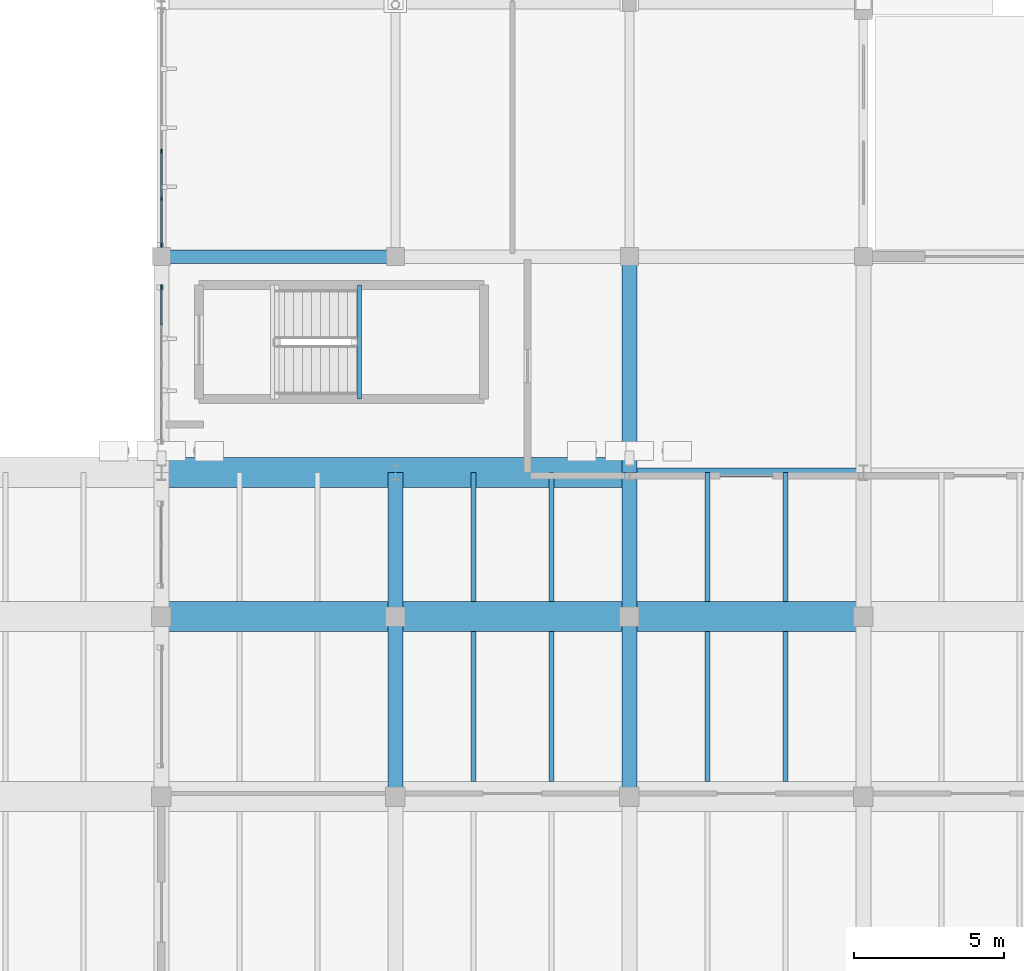
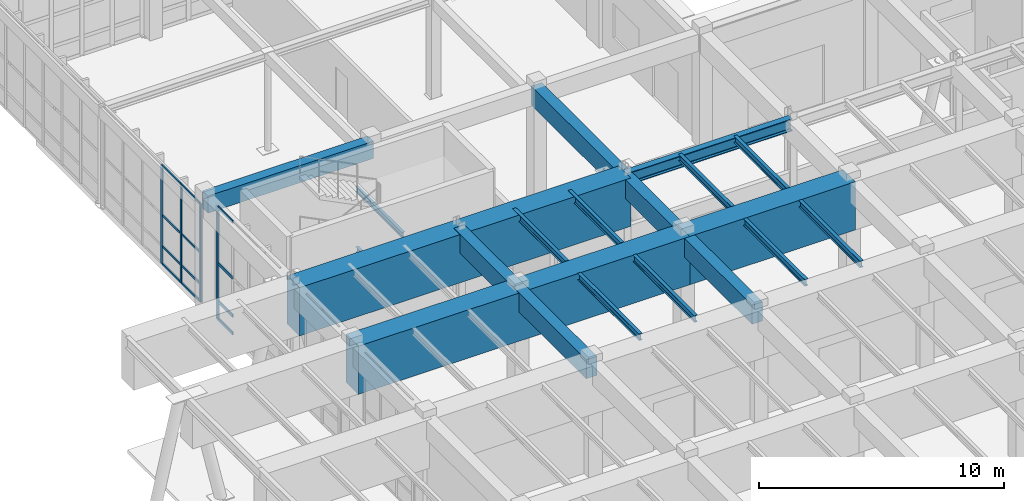
# One storey, part 41 of 110: 20 beams, 16 members, 2 elements without a shape of their own.
"""IFC4 building model written with IfcOpenShell, lengths in metres."""

from ifc_helpers import new_model, si_unit, direction, frame, origin, origin_2d, place, context, subcontext, project, spatial, rectangle, i_section, extrude, material, material_profile, profile_set, type_object, element, aggregate, save


model = new_model("IFC4")

# Units and contexts
model_context = context("Model", 3, precision=1e-05, world=origin(), true_north=direction((0.0, 1.0)))
body_context = subcontext(model_context, "Body", "Model", "MODEL_VIEW")
ifc_project = project(units=[si_unit("LENGTHUNIT", "METRE"), si_unit("AREAUNIT", "SQUARE_METRE"), si_unit("VOLUMEUNIT", "CUBIC_METRE"), si_unit("PLANEANGLEUNIT", "RADIAN"), si_unit("MASSUNIT", "GRAM", prefix="KILO")], contexts=[model_context])

# Site, building, storey
site_placement = place(None, origin())
site = spatial("IfcSite", under=ifc_project, at=site_placement, CompositionType="ELEMENT")
building_placement = place(site_placement, origin())
building = spatial("IfcBuilding", under=site, at=building_placement, Name="Tizgana Railside Sports Hall", CompositionType="ELEMENT")
storey_placement = place(building_placement, origin())
storey = spatial("IfcBuildingStorey", under=building, at=storey_placement, Name="L00", CompositionType="ELEMENT", Elevation=0.0)

# Beams
ifc_material_1 = material(Name="Concrete C40/50", Category="concrete")
ifc_material_profile_1 = material_profile(ifc_material_1, rectangle(XDim=0.449951171875, YDim=0.85009765625, at=origin_2d()), Name="RCB 450x850")
ifc_profile_set_1 = profile_set([ifc_material_profile_1], Name="Concrete C40/50")
beam_type_1 = type_object("IfcBeamType", Name="Concrete Beam RCB 450x850", PredefinedType="BEAM", material=ifc_profile_set_1)
beam_1_placement = place(storey_placement, frame((7.800048828125, 80.39990234375, 5.235107421875), z_axis=(1.0, 0.0, 0.0), x_axis=(0.0, 1.0, 0.0)))
element("IfcBeam", 1, at=beam_1_placement, inside=storey, type_object=beam_type_1, Name="L00 BEM-0127", PredefinedType="BEAM", context=body_context, shape_type="SweptSolid", body=[
    extrude(rectangle(XDim=0.449951171875, YDim=0.85009765625, at=origin_2d()), origin(), (0.0, 0.0, 1.0), 7.800048828125),
])
ifc_material_profile_2 = material_profile(ifc_material_1, rectangle(XDim=0.5, YDim=0.949951171875, at=origin_2d()), Name="RCB 500x950")
ifc_profile_set_2 = profile_set([ifc_material_profile_2], Name="Concrete C40/50")
beam_type_2 = type_object("IfcBeamType", Name="Concrete Beam RCB 500x950", PredefinedType="BEAM", material=ifc_profile_set_2)
beam_2_placement = place(storey_placement, frame((15.60009765625, 62.39990234375, 5.180908203125), z_axis=(0.0, 1.0, 0.0), x_axis=(-1.0, 0.0, 0.0)))
element("IfcBeam", 2, at=beam_2_placement, inside=storey, type_object=beam_type_2, Name="L00 BEM-0147", PredefinedType="BEAM", context=body_context, shape_type="SweptSolid", body=[
    extrude(rectangle(XDim=0.5, YDim=0.949951171875, at=origin_2d()), origin(), (0.0, 0.0, 1.0), 6.0),
])
beam_3_placement = place(storey_placement, frame((15.60009765625, 68.39990234375, 5.180908203125), z_axis=(0.0, 1.0, 0.0), x_axis=(-1.0, 0.0, 0.0)))
element("IfcBeam", 3, at=beam_3_placement, inside=storey, type_object=beam_type_2, Name="L00 BEM-0148", PredefinedType="BEAM", context=body_context, shape_type="SweptSolid", body=[
    extrude(rectangle(XDim=0.5, YDim=0.949951171875, at=origin_2d()), origin(), (0.0, 0.0, 1.0), 4.800048828125),
])
beam_4_placement = place(storey_placement, frame((23.39990234375, 62.39990234375, 5.160888671875), z_axis=(0.0, 1.0, 0.0), x_axis=(-1.0, 0.0, 0.0)))
element("IfcBeam", 4, at=beam_4_placement, inside=storey, type_object=beam_type_2, Name="L00 BEM-0152", PredefinedType="BEAM", context=body_context, shape_type="SweptSolid", body=[
    extrude(rectangle(XDim=0.5, YDim=0.949951171875, at=origin_2d()), origin(), (0.0, 0.0, 1.0), 6.0),
])
beam_5_placement = place(storey_placement, frame((23.39990234375, 68.39990234375, 5.160888671875), z_axis=(0.0, 1.0, 0.0), x_axis=(-1.0, 0.0, 0.0)))
element("IfcBeam", 5, at=beam_5_placement, inside=storey, type_object=beam_type_2, Name="L00 BEM-0153", PredefinedType="BEAM", context=body_context, shape_type="SweptSolid", body=[
    extrude(rectangle(XDim=0.5, YDim=0.949951171875, at=origin_2d()), origin(), (0.0, 0.0, 1.0), 4.800048828125),
])
beam_6_placement = place(storey_placement, frame((23.39990234375, 73.199951171875, 5.160888671875), z_axis=(0.0, 1.0, 0.0), x_axis=(-1.0, 0.0, 0.0)))
element("IfcBeam", 6, at=beam_6_placement, inside=storey, type_object=beam_type_2, Name="L00 BEM-0154", PredefinedType="BEAM", context=body_context, shape_type="SweptSolid", body=[
    extrude(rectangle(XDim=0.5, YDim=0.949951171875, at=origin_2d()), origin(), (0.0, 0.0, 1.0), 7.199951171875),
])

# Curtain wall, members
ifc_material_2 = material(Name="Anodised aluminium and glass", Category="aluminium")
curtain_wall_type_1 = type_object("IfcCurtainWallType", Name="Unitised Curtain Wall WestHall 1560", PredefinedType="NOTDEFINED", material=ifc_material_2)
curtain_wall_1_placement = place(storey_placement, origin())
curtain_wall_1 = element("IfcCurtainWall", 7, at=curtain_wall_1_placement, inside=storey, type_object=curtain_wall_type_1, Name="L00 Curtain Wall CW-0150", PredefinedType="NOTDEFINED")
ifc_material_3 = material(Name="Anodised aluminium", Category="aluminium")
ifc_material_profile_3 = material_profile(ifc_material_3, rectangle(XDim=0.06005859375, YDim=0.139892578125, at=origin_2d()), Name="Mullion 60x140")
ifc_profile_set_3 = profile_set([ifc_material_profile_3], Name="Anodised aluminium")
member_type_1 = type_object("IfcMemberType", Name="Mullion 60x140", PredefinedType="MULLION", material=ifc_profile_set_3)
member_1_placement = place(storey_placement, frame((7.800048828125, 83.903076171875, 0.044921875), z_axis=(0.0, 0.0, 1.0), x_axis=(1.0, 0.0, 0.0)))
member_1 = element("IfcMember", 8, at=member_1_placement, type_object=member_type_1, Name="CW-07 mullion 4", PredefinedType="MULLION", context=body_context, shape_type="SweptSolid", body=[
    extrude(rectangle(XDim=0.06005859375, YDim=0.139892578125, at=origin_2d()), origin(), (0.0, 0.0, 1.0), 4.9150390625),
])
member_2_placement = place(storey_placement, frame((7.800048828125, 82.3291015625, 0.044921875), z_axis=(0.0, 0.0, 1.0), x_axis=(1.0, 0.0, 0.0)))
member_2 = element("IfcMember", 9, at=member_2_placement, type_object=member_type_1, Name="CW-07 mullion 5", PredefinedType="MULLION", context=body_context, shape_type="SweptSolid", body=[
    extrude(rectangle(XDim=0.06005859375, YDim=0.139892578125, at=origin_2d()), origin(), (0.0, 0.0, 1.0), 4.9150390625),
])
member_3_placement = place(storey_placement, frame((7.800048828125, 80.784912109375, 0.044921875), z_axis=(0.0, 0.0, 1.0), x_axis=(1.0, 0.0, 0.0)))
member_3 = element("IfcMember", 10, at=member_3_placement, type_object=member_type_1, Name="CW-07 mullion 6", PredefinedType="MULLION", context=body_context, shape_type="SweptSolid", body=[
    extrude(rectangle(XDim=0.06005859375, YDim=0.139892578125, at=origin_2d()), origin(), (0.0, 0.0, 1.0), 4.9150390625),
])

# Curtain wall, member
curtain_wall_type_2 = type_object("IfcCurtainWallType", Name="Unitised Curtain Wall Concourse 1500", PredefinedType="NOTDEFINED", material=ifc_material_2)
curtain_wall_2_placement = place(storey_placement, origin())
curtain_wall_2 = element("IfcCurtainWall", 11, at=curtain_wall_2_placement, inside=storey, type_object=curtain_wall_type_2, Name="L00 Curtain Wall CW-0008", PredefinedType="NOTDEFINED")
ifc_material_profile_4 = material_profile(ifc_material_3, rectangle(XDim=0.06005859375, YDim=0.179931640625, at=origin_2d()), Name="Mullion 60x180")
ifc_profile_set_4 = profile_set([ifc_material_profile_4], Name="Anodised aluminium")
member_type_2 = type_object("IfcMemberType", Name="Mullion 60x180", PredefinedType="MULLION", material=ifc_profile_set_4)
member_4_placement = place(storey_placement, frame((7.800048828125, 79.3701171875, 0.044921875), z_axis=(0.0, 0.0, 1.0), x_axis=(1.0, 0.0, 0.0)))
member_4 = element("IfcMember", 12, at=member_4_placement, type_object=member_type_2, Name="CW-01 mullion 1", PredefinedType="MULLION", context=body_context, shape_type="SweptSolid", body=[
    extrude(rectangle(XDim=0.06005859375, YDim=0.179931640625, at=origin_2d()), origin(), (0.0, 0.0, 1.0), 5.60498046875),
])

# Beams
ifc_material_profile_5 = material_profile(ifc_material_1, rectangle(XDim=1.0, YDim=2.39990234375, at=origin_2d()), Name="PTG 1000x2400")
ifc_profile_set_5 = profile_set([ifc_material_profile_5], Name="Concrete C40/50")
beam_type_3 = type_object("IfcBeamType", Name="Post-Tensioned Girder PTG 1000x2400", PredefinedType="BEAM", material=ifc_profile_set_5)
beam_7_placement = place(storey_placement, frame((7.800048828125, 68.39990234375, 4.43603515625), z_axis=(1.0, 0.0, 0.0), x_axis=(0.0, 1.0, 0.0)))
element("IfcBeam", 13, at=beam_7_placement, inside=storey, type_object=beam_type_3, Name="L00 PTG-0010", PredefinedType="BEAM", context=body_context, shape_type="SweptSolid", body=[
    extrude(rectangle(XDim=1.0, YDim=2.39990234375, at=origin_2d()), origin(), (0.0, 0.0, 1.0), 15.599853515625),
])
beam_8_placement = place(storey_placement, frame((23.39990234375, 68.39990234375, 4.43603515625), z_axis=(1.0, 0.0, 0.0), x_axis=(0.0, 1.0, 0.0)))
element("IfcBeam", 14, at=beam_8_placement, inside=storey, type_object=beam_type_3, Name="L00 BEM-0117", PredefinedType="BEAM", context=body_context, shape_type="SweptSolid", body=[
    extrude(rectangle(XDim=1.0, YDim=2.39990234375, at=origin_2d()), origin(), (0.0, 0.0, 1.0), 7.800048828125),
])
beam_9_placement = place(storey_placement, frame((7.800048828125, 73.199951171875, 4.43603515625), z_axis=(1.0, 0.0, 0.0), x_axis=(0.0, 1.0, 0.0)))
element("IfcBeam", 15, at=beam_9_placement, inside=storey, type_object=beam_type_3, Name="L00 PTG-0012", PredefinedType="BEAM", context=body_context, shape_type="SweptSolid", body=[
    extrude(rectangle(XDim=1.0, YDim=2.39990234375, at=origin_2d()), origin(), (0.0, 0.0, 1.0), 15.599853515625),
])
ifc_material_4 = material(Name="Steel S355J2", Category="steel")
ifc_material_profile_6 = material_profile(ifc_material_4, i_section(OverallWidth=0.1298828125, OverallDepth=0.27001953125, WebThickness=0.006591796875, FlangeThickness=0.01025390625, FilletRadius=0.014892578125, at=origin_2d()), Name="IPE 270")
ifc_profile_set_6 = profile_set([ifc_material_profile_6], Name="Steel S355J2")
beam_type_4 = type_object("IfcBeamType", Name="Stair Mid-Landing Header IPE 270", PredefinedType="JOIST", material=ifc_profile_set_6)
for number, where, z_axis, x_axis, name in (
    (16, (14.39990234375, 75.64990234375, 1.1630859375), (0.0, 1.0, 0.0), (-1.0, 0.0, 0.0), "L00 C7 Mid Header 1"),
    (17, (14.39990234375, 75.64990234375, 4.1630859375), (0.0, 1.0, 0.0), (-1.0, 0.0, 0.0), "L00 C7 Mid Header 3"),
):
    element("IfcBeam", number, at=place(storey_placement, frame(where, z_axis=z_axis, x_axis=x_axis)), inside=storey, type_object=beam_type_4, Name=name, PredefinedType="JOIST", context=body_context, shape_type="SweptSolid", body=[
        extrude(i_section(OverallWidth=0.1298828125, OverallDepth=0.27001953125, WebThickness=0.006591796875, FlangeThickness=0.01025390625, FilletRadius=0.014892578125, at=origin_2d()), origin(), (0.0, 0.0, 1.0), 3.800048828125),
    ])
ifc_material_profile_7 = material_profile(ifc_material_4, i_section(OverallWidth=0.300048828125, OverallDepth=0.60009765625, WebThickness=0.015380859375, FlangeThickness=0.030029296875, FilletRadius=0.027099609375, at=origin_2d()), Name="HEB 600")
ifc_profile_set_7 = profile_set([ifc_material_profile_7], Name="Steel S355J2")
beam_type_5 = type_object("IfcBeamType", Name="Steel Beam HEB 600", PredefinedType="BEAM", material=ifc_profile_set_7)
beam_10_placement = place(storey_placement, frame((23.39990234375, 73.199951171875, 5.3359375), z_axis=(1.0, 0.0, 0.0), x_axis=(0.0, 1.0, 0.0)))
element("IfcBeam", 18, at=beam_10_placement, inside=storey, type_object=beam_type_5, Name="L00 BEM-0123", PredefinedType="BEAM", context=body_context, shape_type="SweptSolid", body=[
    extrude(i_section(OverallWidth=0.300048828125, OverallDepth=0.60009765625, WebThickness=0.015380859375, FlangeThickness=0.030029296875, FilletRadius=0.027099609375, at=origin_2d()), origin(), (0.0, 0.0, 1.0), 7.800048828125),
])
ifc_material_profile_8 = material_profile(ifc_material_4, i_section(OverallWidth=0.159912109375, OverallDepth=0.330078125, WebThickness=0.007568359375, FlangeThickness=0.011474609375, FilletRadius=0.01806640625, at=origin_2d()), Name="IPE 330")
ifc_profile_set_8 = profile_set([ifc_material_profile_8], Name="Steel S355J2")
beam_type_6 = type_object("IfcBeamType", Name="Steel Joist IPE 330", PredefinedType="JOIST", material=ifc_profile_set_8)
beam_11_placement = place(storey_placement, frame((18.199951171875, 62.89501953125, 5.490966796875), z_axis=(0.0, 1.0, 0.0), x_axis=(-1.0, 0.0, 0.0)))
element("IfcBeam", 19, at=beam_11_placement, inside=storey, type_object=beam_type_6, Name="L00 BEM-0201", PredefinedType="JOIST", context=body_context, shape_type="SweptSolid", body=[
    extrude(i_section(OverallWidth=0.159912109375, OverallDepth=0.330078125, WebThickness=0.007568359375, FlangeThickness=0.011474609375, FilletRadius=0.01806640625, at=origin_2d()), origin(), (0.0, 0.0, 1.0), 5.010009765625),
])
beam_12_placement = place(storey_placement, frame((18.199951171875, 68.89501953125, 5.490966796875), z_axis=(0.0, 1.0, 0.0), x_axis=(-1.0, 0.0, 0.0)))
element("IfcBeam", 20, at=beam_12_placement, inside=storey, type_object=beam_type_6, Name="L00 BEM-0202", PredefinedType="JOIST", context=body_context, shape_type="SweptSolid", body=[
    extrude(i_section(OverallWidth=0.159912109375, OverallDepth=0.330078125, WebThickness=0.007568359375, FlangeThickness=0.011474609375, FilletRadius=0.01806640625, at=origin_2d()), origin(), (0.0, 0.0, 1.0), 4.304931640625),
])
beam_13_placement = place(storey_placement, frame((20.800048828125, 62.89501953125, 5.490966796875), z_axis=(0.0, 1.0, 0.0), x_axis=(-1.0, 0.0, 0.0)))
element("IfcBeam", 21, at=beam_13_placement, inside=storey, type_object=beam_type_6, Name="L00 BEM-0206", PredefinedType="JOIST", context=body_context, shape_type="SweptSolid", body=[
    extrude(i_section(OverallWidth=0.159912109375, OverallDepth=0.330078125, WebThickness=0.007568359375, FlangeThickness=0.011474609375, FilletRadius=0.01806640625, at=origin_2d()), origin(), (0.0, 0.0, 1.0), 5.010009765625),
])
beam_14_placement = place(storey_placement, frame((20.800048828125, 68.89501953125, 5.490966796875), z_axis=(0.0, 1.0, 0.0), x_axis=(-1.0, 0.0, 0.0)))
element("IfcBeam", 22, at=beam_14_placement, inside=storey, type_object=beam_type_6, Name="L00 BEM-0207", PredefinedType="JOIST", context=body_context, shape_type="SweptSolid", body=[
    extrude(i_section(OverallWidth=0.159912109375, OverallDepth=0.330078125, WebThickness=0.007568359375, FlangeThickness=0.011474609375, FilletRadius=0.01806640625, at=origin_2d()), origin(), (0.0, 0.0, 1.0), 4.304931640625),
])
beam_15_placement = place(storey_placement, frame((26.0, 62.89501953125, 5.470947265625), z_axis=(0.0, 1.0, 0.0), x_axis=(-1.0, 0.0, 0.0)))
element("IfcBeam", 23, at=beam_15_placement, inside=storey, type_object=beam_type_6, Name="L00 BEM-0211", PredefinedType="JOIST", context=body_context, shape_type="SweptSolid", body=[
    extrude(i_section(OverallWidth=0.159912109375, OverallDepth=0.330078125, WebThickness=0.007568359375, FlangeThickness=0.011474609375, FilletRadius=0.01806640625, at=origin_2d()), origin(), (0.0, 0.0, 1.0), 5.010009765625),
])
beam_16_placement = place(storey_placement, frame((26.0, 68.89501953125, 5.470947265625), z_axis=(0.0, 1.0, 0.0), x_axis=(-1.0, 0.0, 0.0)))
element("IfcBeam", 24, at=beam_16_placement, inside=storey, type_object=beam_type_6, Name="L00 BEM-0212", PredefinedType="JOIST", context=body_context, shape_type="SweptSolid", body=[
    extrude(i_section(OverallWidth=0.159912109375, OverallDepth=0.330078125, WebThickness=0.007568359375, FlangeThickness=0.011474609375, FilletRadius=0.01806640625, at=origin_2d()), origin(), (0.0, 0.0, 1.0), 4.304931640625),
])
beam_17_placement = place(storey_placement, frame((28.60009765625, 62.89501953125, 5.470947265625), z_axis=(0.0, 1.0, 0.0), x_axis=(-1.0, 0.0, 0.0)))
element("IfcBeam", 25, at=beam_17_placement, inside=storey, type_object=beam_type_6, Name="L00 BEM-0216", PredefinedType="JOIST", context=body_context, shape_type="SweptSolid", body=[
    extrude(i_section(OverallWidth=0.159912109375, OverallDepth=0.330078125, WebThickness=0.007568359375, FlangeThickness=0.011474609375, FilletRadius=0.01806640625, at=origin_2d()), origin(), (0.0, 0.0, 1.0), 5.010009765625),
])
beam_18_placement = place(storey_placement, frame((28.60009765625, 68.89501953125, 5.470947265625), z_axis=(0.0, 1.0, 0.0), x_axis=(-1.0, 0.0, 0.0)))
element("IfcBeam", 26, at=beam_18_placement, inside=storey, type_object=beam_type_6, Name="L00 BEM-0217", PredefinedType="JOIST", context=body_context, shape_type="SweptSolid", body=[
    extrude(i_section(OverallWidth=0.159912109375, OverallDepth=0.330078125, WebThickness=0.007568359375, FlangeThickness=0.011474609375, FilletRadius=0.01806640625, at=origin_2d()), origin(), (0.0, 0.0, 1.0), 4.304931640625),
])

# Member
ifc_material_profile_9 = material_profile(ifc_material_3, rectangle(XDim=0.06005859375, YDim=0.110107421875, at=origin_2d()), Name="Transom 60x110")
ifc_profile_set_9 = profile_set([ifc_material_profile_9], Name="Anodised aluminium")
member_type_3 = type_object("IfcMemberType", Name="Transom 60x110", PredefinedType="USERDEFINED", material=ifc_profile_set_9)
member_5_placement = place(storey_placement, frame((7.800048828125, 83.873046875, 0.074951171875), z_axis=(0.0, -1.0, 0.0), x_axis=(1.0, 0.0, 0.0)))
member_5 = element("IfcMember", 27, at=member_5_placement, type_object=member_type_3, Name="CW-07 transom 4.1", ObjectType="TRANSOM", PredefinedType="USERDEFINED", context=body_context, shape_type="SweptSolid", body=[
    extrude(rectangle(XDim=0.06005859375, YDim=0.110107421875, at=origin_2d()), origin(), (0.0, 0.0, 1.0), 1.51416015625),
])

member_6_placement = place(storey_placement, frame((7.800048828125, 83.873046875, 0.945068359375), z_axis=(0.0, -1.0, 0.0), x_axis=(1.0, 0.0, 0.0)))
member_6 = element("IfcMember", 28, at=member_6_placement, type_object=member_type_3, Name="CW-07 transom 4.2", ObjectType="TRANSOM", PredefinedType="USERDEFINED", context=body_context, shape_type="SweptSolid", body=[
    extrude(rectangle(XDim=0.06005859375, YDim=0.110107421875, at=origin_2d()), origin(), (0.0, 0.0, 1.0), 1.51416015625),
])

member_7_placement = place(storey_placement, frame((7.800048828125, 83.873046875, 2.50244140625), z_axis=(0.0, -1.0, 0.0), x_axis=(1.0, 0.0, 0.0)))
member_7 = element("IfcMember", 29, at=member_7_placement, type_object=member_type_3, Name="CW-07 transom 4.3", ObjectType="TRANSOM", PredefinedType="USERDEFINED", context=body_context, shape_type="SweptSolid", body=[
    extrude(rectangle(XDim=0.06005859375, YDim=0.110107421875, at=origin_2d()), origin(), (0.0, 0.0, 1.0), 1.51416015625),
])

member_8_placement = place(storey_placement, frame((7.800048828125, 83.873046875, 4.929931640625), z_axis=(0.0, -1.0, 0.0), x_axis=(1.0, 0.0, 0.0)))
member_8 = element("IfcMember", 30, at=member_8_placement, type_object=member_type_3, Name="CW-07 transom 4.4", ObjectType="TRANSOM", PredefinedType="USERDEFINED", context=body_context, shape_type="SweptSolid", body=[
    extrude(rectangle(XDim=0.06005859375, YDim=0.110107421875, at=origin_2d()), origin(), (0.0, 0.0, 1.0), 1.51416015625),
])

member_9_placement = place(storey_placement, frame((7.800048828125, 82.299072265625, 0.074951171875), z_axis=(0.0, -1.0, 0.0), x_axis=(1.0, 0.0, 0.0)))
member_9 = element("IfcMember", 31, at=member_9_placement, type_object=member_type_3, Name="CW-07 transom 5.1", ObjectType="TRANSOM", PredefinedType="USERDEFINED", context=body_context, shape_type="SweptSolid", body=[
    extrude(rectangle(XDim=0.06005859375, YDim=0.110107421875, at=origin_2d()), origin(), (0.0, 0.0, 1.0), 1.484130859375),
])

member_10_placement = place(storey_placement, frame((7.800048828125, 82.299072265625, 0.945068359375), z_axis=(0.0, -1.0, 0.0), x_axis=(1.0, 0.0, 0.0)))
member_10 = element("IfcMember", 32, at=member_10_placement, type_object=member_type_3, Name="CW-07 transom 5.2", ObjectType="TRANSOM", PredefinedType="USERDEFINED", context=body_context, shape_type="SweptSolid", body=[
    extrude(rectangle(XDim=0.06005859375, YDim=0.110107421875, at=origin_2d()), origin(), (0.0, 0.0, 1.0), 1.484130859375),
])

member_11_placement = place(storey_placement, frame((7.800048828125, 82.299072265625, 2.50244140625), z_axis=(0.0, -1.0, 0.0), x_axis=(1.0, 0.0, 0.0)))
member_11 = element("IfcMember", 33, at=member_11_placement, type_object=member_type_3, Name="CW-07 transom 5.3", ObjectType="TRANSOM", PredefinedType="USERDEFINED", context=body_context, shape_type="SweptSolid", body=[
    extrude(rectangle(XDim=0.06005859375, YDim=0.110107421875, at=origin_2d()), origin(), (0.0, 0.0, 1.0), 1.484130859375),
])

member_12_placement = place(storey_placement, frame((7.800048828125, 82.299072265625, 4.929931640625), z_axis=(0.0, -1.0, 0.0), x_axis=(1.0, 0.0, 0.0)))
member_12 = element("IfcMember", 34, at=member_12_placement, type_object=member_type_3, Name="CW-07 transom 5.4", ObjectType="TRANSOM", PredefinedType="USERDEFINED", context=body_context, shape_type="SweptSolid", body=[
    extrude(rectangle(XDim=0.06005859375, YDim=0.110107421875, at=origin_2d()), origin(), (0.0, 0.0, 1.0), 1.484130859375),
])

aggregate(curtain_wall_1, [member_1, member_2, member_3, member_5, member_6, member_7, member_8, member_9, member_10, member_11, member_12])

ifc_material_profile_10 = material_profile(ifc_material_3, rectangle(XDim=0.06005859375, YDim=0.14990234375, at=origin_2d()), Name="Transom 60x150")
ifc_profile_set_10 = profile_set([ifc_material_profile_10], Name="Anodised aluminium")
member_type_4 = type_object("IfcMemberType", Name="Transom 60x150", PredefinedType="USERDEFINED", material=ifc_profile_set_10)
member_13_placement = place(storey_placement, frame((7.800048828125, 79.340087890625, 0.074951171875), z_axis=(0.0, -1.0, 0.0), x_axis=(1.0, 0.0, 0.0)))
member_13 = element("IfcMember", 35, at=member_13_placement, type_object=member_type_4, Name="CW-01 transom 1.1", ObjectType="TRANSOM", PredefinedType="USERDEFINED", context=body_context, shape_type="SweptSolid", body=[
    extrude(rectangle(XDim=0.06005859375, YDim=0.14990234375, at=origin_2d()), origin(), (0.0, 0.0, 1.0), 1.210205078125),
])

member_14_placement = place(storey_placement, frame((7.800048828125, 79.340087890625, 0.945068359375), z_axis=(0.0, -1.0, 0.0), x_axis=(1.0, 0.0, 0.0)))
member_14 = element("IfcMember", 36, at=member_14_placement, type_object=member_type_4, Name="CW-01 transom 1.2", ObjectType="TRANSOM", PredefinedType="USERDEFINED", context=body_context, shape_type="SweptSolid", body=[
    extrude(rectangle(XDim=0.06005859375, YDim=0.14990234375, at=origin_2d()), origin(), (0.0, 0.0, 1.0), 1.210205078125),
])

member_15_placement = place(storey_placement, frame((7.800048828125, 79.340087890625, 2.847412109375), z_axis=(0.0, -1.0, 0.0), x_axis=(1.0, 0.0, 0.0)))
member_15 = element("IfcMember", 37, at=member_15_placement, type_object=member_type_4, Name="CW-01 transom 1.3", ObjectType="TRANSOM", PredefinedType="USERDEFINED", context=body_context, shape_type="SweptSolid", body=[
    extrude(rectangle(XDim=0.06005859375, YDim=0.14990234375, at=origin_2d()), origin(), (0.0, 0.0, 1.0), 1.210205078125),
])

member_16_placement = place(storey_placement, frame((7.800048828125, 79.340087890625, 5.6201171875), z_axis=(0.0, -1.0, 0.0), x_axis=(1.0, 0.0, 0.0)))
member_16 = element("IfcMember", 38, at=member_16_placement, type_object=member_type_4, Name="CW-01 transom 1.4", ObjectType="TRANSOM", PredefinedType="USERDEFINED", context=body_context, shape_type="SweptSolid", body=[
    extrude(rectangle(XDim=0.06005859375, YDim=0.14990234375, at=origin_2d()), origin(), (0.0, 0.0, 1.0), 1.210205078125),
])

aggregate(curtain_wall_2, [member_4, member_13, member_14, member_15, member_16])

save(model, "model.ifc")
